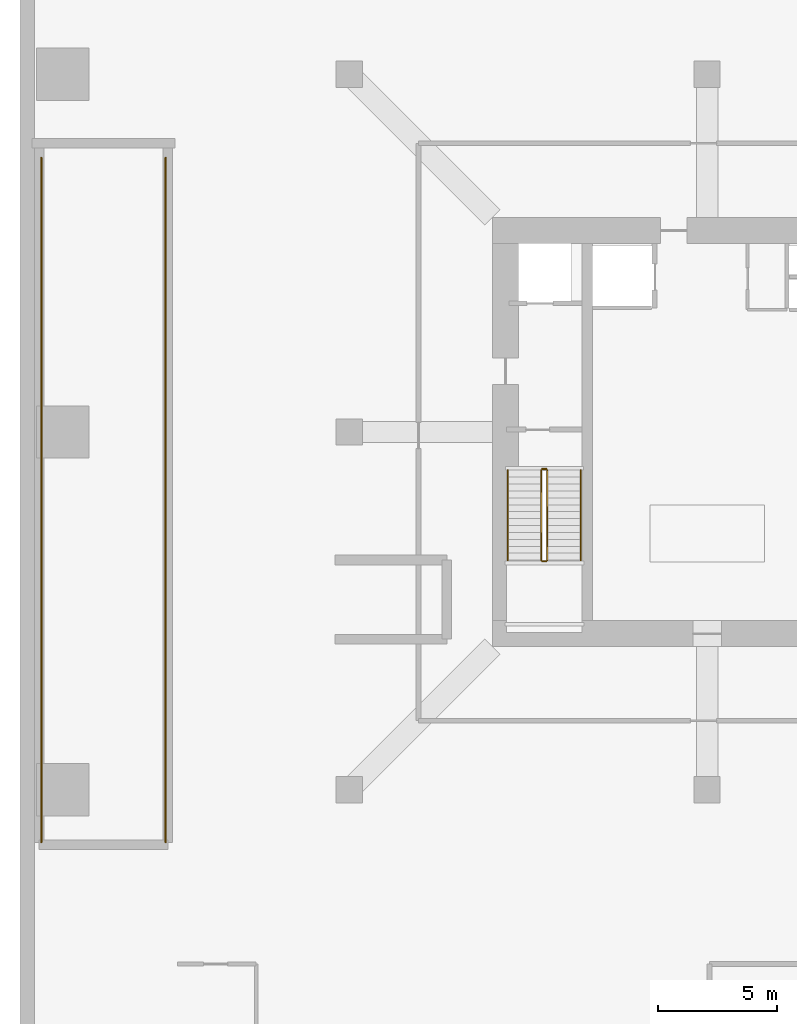
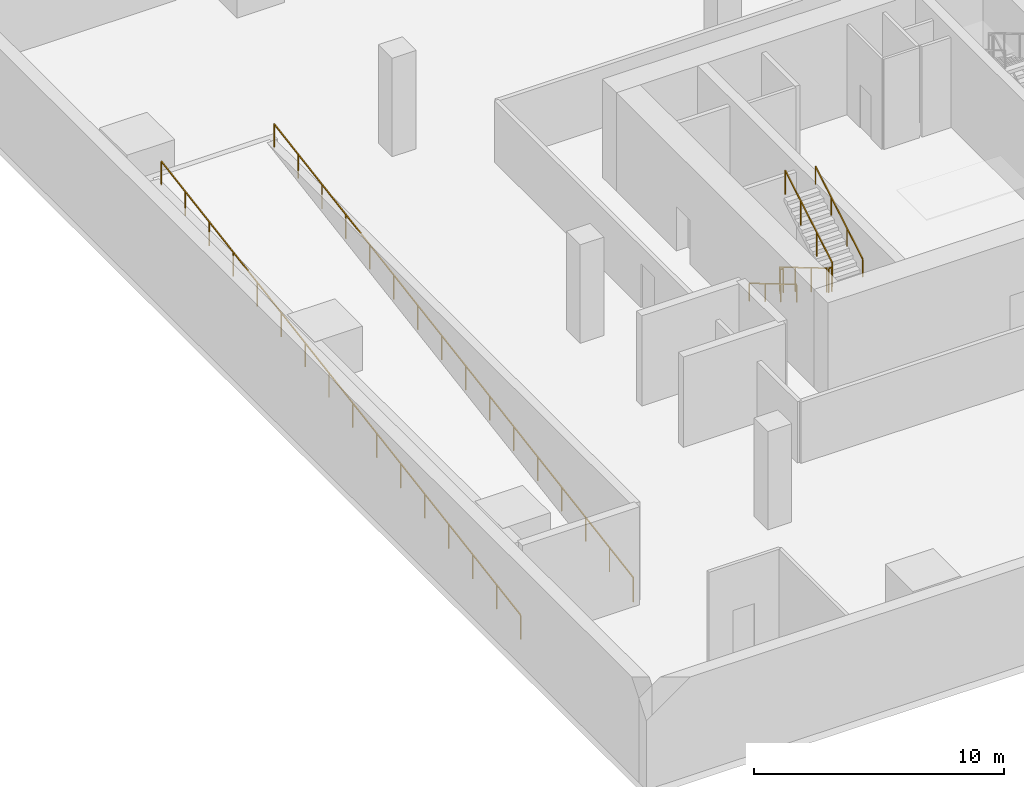
# One storey, part 4 of 6: 8 railings.
"""IFC4 building model written with IfcOpenShell, lengths in metres."""

import ifcopenshell
import ifcopenshell.guid

model = None  # the IFC model being written
_history = None  # IfcOwnerHistory: only IFC2X3 demands one
_inside = {}  # id of a spatial element -> (the spatial element, [elements in it])
_under = {}  # id of a project, library or spatial element -> (it, [spatial elements below it])
_declared = {}  # id of a project -> (the project, [libraries it declares])
_typed = {}  # id of a type object -> (the type object, [elements of that type])
_made_of = {}  # id of a material, layer set ... -> (it, [elements and type objects made of it])


def new_model(schema):
    """Start an empty IFC model of exactly this schema.

    Asked for "IFC4X3", IfcOpenShell would pick the latest addendum, in which some entities
    have other attributes; the version numbers below select the first issue.
    IFC2X3 requires an IfcOwnerHistory on every rooted entity: one is made here for all.
    """
    global model, _history
    if schema == "IFC4X3":
        model = ifcopenshell.file(schema_version=(4, 3, 0, 0))
    else:
        model = ifcopenshell.file(schema=schema)
    _inside.clear()
    _under.clear()
    _declared.clear()
    _typed.clear()
    _made_of.clear()
    _history = None
    if model.schema == "IFC2X3":
        org = make("IfcOrganization", Name="unknown")
        user = make(
            "IfcPersonAndOrganization",
            ThePerson=make("IfcPerson", FamilyName="unknown"),
            TheOrganization=org,
        )
        app = make(
            "IfcApplication",
            ApplicationDeveloper=org,
            Version="unknown",
            ApplicationFullName="unknown",
            ApplicationIdentifier="unknown",
        )
        _history = make(
            "IfcOwnerHistory",
            OwningUser=user,
            OwningApplication=app,
            ChangeAction="ADDED",
            CreationDate=0,
        )
    return model


def make(cls, **values):
    """One entity of the class cls with the attributes given. An attribute that is None is left unset."""
    return model.create_entity(
        cls, **{name: value for name, value in values.items() if value is not None}
    )


def rooted(cls, **values):
    """An entity with a GlobalId (a new one), such as an element, a storey or a relation."""
    return make(cls, GlobalId=ifcopenshell.guid.new(), OwnerHistory=_history, **values)


def si_unit(unit_type, name, prefix=None):
    """IfcSIUnit, for example si_unit("LENGTHUNIT", "METRE", prefix="MILLI")."""
    return make("IfcSIUnit", UnitType=unit_type, Prefix=prefix, Name=name)


def assignment(units):
    """IfcUnitAssignment: the units of a project."""
    return None if units is None else make("IfcUnitAssignment", Units=units)


def point(xyz):
    """IfcCartesianPoint."""
    return None if xyz is None else make("IfcCartesianPoint", Coordinates=xyz)


def direction(xyz):
    """IfcDirection."""
    return None if xyz is None else make("IfcDirection", DirectionRatios=xyz)


def frame(location, z_axis=None, x_axis=None):
    """IfcAxis2Placement3D, a coordinate frame: its origin and axes. An axis left out is left unset."""
    return make(
        "IfcAxis2Placement3D",
        Location=point(location),
        Axis=direction(z_axis),
        RefDirection=direction(x_axis),
    )


def frame_2d(location, x_axis=None):
    """IfcAxis2Placement2D, a coordinate frame in the plane: its origin and x axis."""
    return make(
        "IfcAxis2Placement2D", Location=point(location), RefDirection=direction(x_axis)
    )


def origin():
    """The frame at (0, 0, 0) with its axes left unset."""
    return frame((0.0, 0.0, 0.0))


def origin_2d():
    """The frame at (0, 0) in the plane with its x axis left unset."""
    return frame_2d((0.0, 0.0))


def place(relative_to, where):
    """IfcLocalPlacement: puts the frame where relative to a parent placement (None: the world)."""
    return make(
        "IfcLocalPlacement", PlacementRelTo=relative_to, RelativePlacement=where
    )


def context(
    kind, dimensions, precision=None, world=None, true_north=None, identifier=None
):
    """IfcGeometricRepresentationContext, for example the 3D "Model" context."""
    return make(
        "IfcGeometricRepresentationContext",
        ContextIdentifier=identifier,
        ContextType=kind,
        CoordinateSpaceDimension=dimensions,
        Precision=precision,
        WorldCoordinateSystem=world,
        TrueNorth=true_north,
    )


def subcontext(parent, identifier, kind, view, scale=None):
    """IfcGeometricRepresentationSubContext, for example "Body" below "Model"."""
    return make(
        "IfcGeometricRepresentationSubContext",
        ContextIdentifier=identifier,
        ContextType=kind,
        ParentContext=parent,
        TargetScale=scale,
        TargetView=view,
    )


def project(units=None, contexts=None):
    """IfcProject with its units and contexts."""
    return rooted(
        "IfcProject",
        Name="project",
        RepresentationContexts=contexts,
        UnitsInContext=assignment(units),
    )


def spatial(cls, under=None, at=None, **own):
    """A site, building, storey or space (cls), placed at a placement, below another one or the project."""
    s = rooted(cls, ObjectPlacement=at, **own)
    if under is not None:
        _under.setdefault(under.id(), (under, []))[1].append(s)
    return s


def profile(cls, at=None, kind="AREA", **sizes):
    """A parametric profile (cls). Its sizes go by their IFC names, for example OverallWidth=200.0."""
    return make(cls, ProfileType=kind, Position=at, **sizes)


def rectangle(**sizes):
    """IfcRectangleProfileDef."""
    return profile("IfcRectangleProfileDef", **sizes)


def extrude(swept, where, along, depth):
    """IfcExtrudedAreaSolid: the profile swept, set in the frame where, extruded along a direction by depth."""
    return make(
        "IfcExtrudedAreaSolid",
        SweptArea=swept,
        Position=where,
        ExtrudedDirection=direction(along),
        Depth=depth,
    )


def shape(context_of_items, identifier, shape_type, items):
    """IfcShapeRepresentation: the items that make up one representation, for example the "Body"."""
    return make(
        "IfcShapeRepresentation",
        ContextOfItems=context_of_items,
        RepresentationIdentifier=identifier,
        RepresentationType=shape_type,
        Items=items,
    )


def material(Name=None, Category=None):
    """IfcMaterial."""
    return make("IfcMaterial", Name=Name, Category=Category)


def made_of(thing, what):
    """Note that an element or type object is made of a material, layer set ...; save() writes the relation."""
    if what is not None:
        _made_of.setdefault(what.id(), (what, []))[1].append(thing)
    return thing


def type_object(cls, material=None, **own):
    """A type object (cls), such as IfcWallType, which elements share."""
    return made_of(rooted(cls, **own), material)


def element(
    cls,
    number,
    at=None,
    inside=None,
    cuts=None,
    type_object=None,
    material=None,
    context=None,
    identifier="Body",
    shape_type=None,
    held_by="IfcProductDefinitionShape",
    body=None,
    shapes=None,
    **own,
):
    """One element of the class cls, such as IfcWall. Its Tag is "e" and its number.

    at: its placement. inside: the storey or other place that contains it. cuts: it is an
    opening in that element (IfcRelVoidsElement). A single representation is given by context,
    identifier, shape_type and body (its items); several are given by shapes. held_by: the class
    of the entity that holds the representations. save() writes the other relations.
    """
    e = rooted(cls, Tag="e%d" % number, ObjectPlacement=at, **own)
    if body is not None:
        shapes = [shape(context, identifier, shape_type, body)]
    if shapes is not None:
        e.Representation = make(held_by, Representations=shapes)
    if inside is not None:
        _inside.setdefault(inside.id(), (inside, []))[1].append(e)
    if cuts is not None:
        rooted(
            "IfcRelVoidsElement", RelatingBuildingElement=cuts, RelatedOpeningElement=e
        )
    if type_object is not None:
        _typed.setdefault(type_object.id(), (type_object, []))[1].append(e)
    return made_of(e, material)


def aggregate(whole, parts):
    """IfcRelAggregates: a whole, such as a stair, and the parts it consists of."""
    return rooted("IfcRelAggregates", RelatingObject=whole, RelatedObjects=parts)


def save(model, path):
    """Write the relations noted so far, then the file.

    IfcRelAggregates (storeys below a building ...), IfcRelContainedInSpatialStructure (elements
    in a storey), IfcRelDefinesByType, IfcRelAssociatesMaterial and IfcRelDeclares: one each for
    every whole, place, type object, material and project.
    """
    for whole, parts in _under.values():
        aggregate(whole, parts)
    for where, things in _inside.values():
        rooted(
            "IfcRelContainedInSpatialStructure",
            RelatedElements=things,
            RelatingStructure=where,
        )
    for kind, things in _typed.values():
        rooted("IfcRelDefinesByType", RelatedObjects=things, RelatingType=kind)
    for what, things in _made_of.values():
        rooted("IfcRelAssociatesMaterial", RelatedObjects=things, RelatingMaterial=what)
    for by, libraries in _declared.values():
        rooted("IfcRelDeclares", RelatingContext=by, RelatedDefinitions=libraries)
    model.write(path)


model = new_model("IFC4")

# Units and contexts
model_context = context("Model", 3, precision=1e-05, world=origin(), true_north=direction((0.0, 1.0)))
body_context = subcontext(model_context, "Body", "Model", "MODEL_VIEW")
ifc_project = project(units=[si_unit("LENGTHUNIT", "METRE"), si_unit("AREAUNIT", "SQUARE_METRE"), si_unit("VOLUMEUNIT", "CUBIC_METRE"), si_unit("PLANEANGLEUNIT", "RADIAN"), si_unit("MASSUNIT", "GRAM", prefix="KILO")], contexts=[model_context])

# Site, building, storey
site_placement = place(None, origin())
site = spatial("IfcSite", under=ifc_project, at=site_placement, CompositionType="ELEMENT")
building_placement = place(site_placement, origin())
building = spatial("IfcBuilding", under=site, at=building_placement, Name="Belovzor Exchange Tower", CompositionType="ELEMENT")
storey_placement = place(building_placement, frame((0.0, 0.0, -4.800048828125)))
storey = spatial("IfcBuildingStorey", under=building, at=storey_placement, Name="B01", CompositionType="ELEMENT", Elevation=-4.800048828125)

# Railings
ifc_material_1 = material(Name="Stainless Steel Grade 304", Category="steel")
railing_type_1 = type_object("IfcRailingType", Name="Brushed Stainless Steel Stair Handrail 900", PredefinedType="HANDRAIL", material=ifc_material_1)
railing_1_placement = place(storey_placement, frame((20.449951171875, 27.199951171875, 0.17138671875)))
element("IfcRailing", 1, at=railing_1_placement, inside=storey, type_object=railing_type_1, Name="B01 ST-1 stair handrail 1", PredefinedType="HANDRAIL", context=body_context, shape_type="SweptSolid", body=[
    extrude(rectangle(XDim=0.048095703125, YDim=0.048095703125, at=origin_2d()), frame((0.0, 0.0, 0.8759765625), z_axis=(0.0, -0.860824410104, 0.508902087802), x_axis=(1.0, 0.0, 0.0)), (0.0, 0.0, 1.0), 4.379638671875),
    extrude(rectangle(XDim=0.0419921875, YDim=0.0419921875, at=origin_2d()), origin(), (0.0, 0.0, 1.0), 0.851806640625),
    extrude(rectangle(XDim=0.0419921875, YDim=0.0419921875, at=origin_2d()), frame((0.0, -1.256591796875, 0.742919921875)), (0.0, 0.0, 1.0), 0.851806640625),
    extrude(rectangle(XDim=0.0419921875, YDim=0.0419921875, at=origin_2d()), frame((0.0, -2.513427734375, 1.48583984375)), (0.0, 0.0, 1.0), 0.851806640625),
    extrude(rectangle(XDim=0.0419921875, YDim=0.0419921875, at=origin_2d()), frame((0.0, -3.77001953125, 2.228759765625)), (0.0, 0.0, 1.0), 0.851806640625),
])
railing_2_placement = place(storey_placement, frame((23.5, 23.429931640625, 2.571533203125)))
element("IfcRailing", 2, at=railing_2_placement, inside=storey, type_object=railing_type_1, Name="B01 ST-1 stair handrail 2", PredefinedType="HANDRAIL", context=body_context, shape_type="SweptSolid", body=[
    extrude(rectangle(XDim=0.048095703125, YDim=0.048095703125, at=origin_2d()), frame((0.0, 0.0, 0.8759765625), z_axis=(0.0, 0.860848830602, 0.508860777473), x_axis=(-1.0, 0.0, 0.0)), (0.0, 0.0, 1.0), 4.37939453125),
    extrude(rectangle(XDim=0.0419921875, YDim=0.0419921875, at=origin_2d()), origin(), (0.0, 0.0, 1.0), 0.851806640625),
    extrude(rectangle(XDim=0.0419921875, YDim=0.0419921875, at=origin_2d()), frame((0.0, 1.256591796875, 0.742919921875)), (0.0, 0.0, 1.0), 0.851806640625),
    extrude(rectangle(XDim=0.0419921875, YDim=0.0419921875, at=origin_2d()), frame((0.0, 2.513427734375, 1.485595703125)), (0.0, 0.0, 1.0), 0.851806640625),
    extrude(rectangle(XDim=0.0419921875, YDim=0.0419921875, at=origin_2d()), frame((0.0, 3.77001953125, 2.228515625)), (0.0, 0.0, 1.0), 0.851806640625),
])
ifc_material_2 = material(Name="Steel S355", Category="steel")
railing_type_2 = type_object("IfcRailingType", Name="Internal Vehicle Ramp Safety Guardrail 1200", PredefinedType="GUARDRAIL", material=ifc_material_2)
railing_3_placement = place(storey_placement, frame((0.89990234375, 11.60009765625, 0.0)))
element("IfcRailing", 3, at=railing_3_placement, inside=storey, type_object=railing_type_2, Name="GR-3 Vehicle Ramp Safety Guardrail B01 W", PredefinedType="GUARDRAIL", context=body_context, shape_type="SweptSolid", body=[
    extrude(rectangle(XDim=0.048095703125, YDim=0.048095703125, at=origin_2d()), frame((0.0, 0.0, 1.17578125), z_axis=(0.0, 0.986744871408, 0.162279261613), x_axis=(-1.0, 0.0, 0.0)), (0.0, 0.0, 1.0), 29.08544921875),
    extrude(rectangle(XDim=0.0419921875, YDim=0.0419921875, at=origin_2d()), origin(), (0.0, 0.0, 1.0), 1.15185546875),
    extrude(rectangle(XDim=0.0419921875, YDim=0.0419921875, at=origin_2d()), frame((0.0, 1.913330078125, 0.314697265625)), (0.0, 0.0, 1.0), 1.15185546875),
    extrude(rectangle(XDim=0.0419921875, YDim=0.0419921875, at=origin_2d()), frame((0.0, 3.82666015625, 0.62939453125)), (0.0, 0.0, 1.0), 1.15185546875),
    extrude(rectangle(XDim=0.0419921875, YDim=0.0419921875, at=origin_2d()), frame((0.0, 5.739990234375, 0.944091796875)), (0.0, 0.0, 1.0), 1.15185546875),
    extrude(rectangle(XDim=0.0419921875, YDim=0.0419921875, at=origin_2d()), frame((0.0, 7.6533203125, 1.258544921875)), (0.0, 0.0, 1.0), 1.15185546875),
    extrude(rectangle(XDim=0.0419921875, YDim=0.0419921875, at=origin_2d()), frame((0.0, 9.566650390625, 1.5732421875)), (0.0, 0.0, 1.0), 1.15185546875),
    extrude(rectangle(XDim=0.0419921875, YDim=0.0419921875, at=origin_2d()), frame((0.0, 11.47998046875, 1.887939453125)), (0.0, 0.0, 1.0), 1.15185546875),
    extrude(rectangle(XDim=0.0419921875, YDim=0.0419921875, at=origin_2d()), frame((0.0, 13.393310546875, 2.20263671875)), (0.0, 0.0, 1.0), 1.15185546875),
    extrude(rectangle(XDim=0.0419921875, YDim=0.0419921875, at=origin_2d()), frame((0.0, 15.306640625, 2.517333984375)), (0.0, 0.0, 1.0), 1.15185546875),
    extrude(rectangle(XDim=0.0419921875, YDim=0.0419921875, at=origin_2d()), frame((0.0, 17.219970703125, 2.83203125)), (0.0, 0.0, 1.0), 1.15185546875),
    extrude(rectangle(XDim=0.0419921875, YDim=0.0419921875, at=origin_2d()), frame((0.0, 19.13330078125, 3.146728515625)), (0.0, 0.0, 1.0), 1.15185546875),
    extrude(rectangle(XDim=0.0419921875, YDim=0.0419921875, at=origin_2d()), frame((0.0, 21.046630859375, 3.46142578125)), (0.0, 0.0, 1.0), 1.15185546875),
    extrude(rectangle(XDim=0.0419921875, YDim=0.0419921875, at=origin_2d()), frame((0.0, 22.9599609375, 3.77587890625)), (0.0, 0.0, 1.0), 1.15185546875),
    extrude(rectangle(XDim=0.0419921875, YDim=0.0419921875, at=origin_2d()), frame((0.0, 24.873291015625, 4.090576171875)), (0.0, 0.0, 1.0), 1.15185546875),
    extrude(rectangle(XDim=0.0419921875, YDim=0.0419921875, at=origin_2d()), frame((0.0, 26.78662109375, 4.4052734375)), (0.0, 0.0, 1.0), 1.15185546875),
    extrude(rectangle(XDim=0.0419921875, YDim=0.0419921875, at=origin_2d()), frame((0.0, 28.699951171875, 4.719970703125)), (0.0, 0.0, 1.0), 1.15185546875),
])
railing_4_placement = place(storey_placement, frame((6.10009765625, 11.60009765625, 0.0)))
element("IfcRailing", 4, at=railing_4_placement, inside=storey, type_object=railing_type_2, Name="GR-3 Vehicle Ramp Safety Guardrail B01 E", PredefinedType="GUARDRAIL", context=body_context, shape_type="SweptSolid", body=[
    extrude(rectangle(XDim=0.048095703125, YDim=0.048095703125, at=origin_2d()), frame((0.0, 0.0, 1.17578125), z_axis=(0.0, 0.986744871408, 0.162279261613), x_axis=(-1.0, 0.0, 0.0)), (0.0, 0.0, 1.0), 29.08544921875),
    extrude(rectangle(XDim=0.0419921875, YDim=0.0419921875, at=origin_2d()), origin(), (0.0, 0.0, 1.0), 1.15185546875),
    extrude(rectangle(XDim=0.0419921875, YDim=0.0419921875, at=origin_2d()), frame((0.0, 1.913330078125, 0.314697265625)), (0.0, 0.0, 1.0), 1.15185546875),
    extrude(rectangle(XDim=0.0419921875, YDim=0.0419921875, at=origin_2d()), frame((0.0, 3.82666015625, 0.62939453125)), (0.0, 0.0, 1.0), 1.15185546875),
    extrude(rectangle(XDim=0.0419921875, YDim=0.0419921875, at=origin_2d()), frame((0.0, 5.739990234375, 0.944091796875)), (0.0, 0.0, 1.0), 1.15185546875),
    extrude(rectangle(XDim=0.0419921875, YDim=0.0419921875, at=origin_2d()), frame((0.0, 7.6533203125, 1.258544921875)), (0.0, 0.0, 1.0), 1.15185546875),
    extrude(rectangle(XDim=0.0419921875, YDim=0.0419921875, at=origin_2d()), frame((0.0, 9.566650390625, 1.5732421875)), (0.0, 0.0, 1.0), 1.15185546875),
    extrude(rectangle(XDim=0.0419921875, YDim=0.0419921875, at=origin_2d()), frame((0.0, 11.47998046875, 1.887939453125)), (0.0, 0.0, 1.0), 1.15185546875),
    extrude(rectangle(XDim=0.0419921875, YDim=0.0419921875, at=origin_2d()), frame((0.0, 13.393310546875, 2.20263671875)), (0.0, 0.0, 1.0), 1.15185546875),
    extrude(rectangle(XDim=0.0419921875, YDim=0.0419921875, at=origin_2d()), frame((0.0, 15.306640625, 2.517333984375)), (0.0, 0.0, 1.0), 1.15185546875),
    extrude(rectangle(XDim=0.0419921875, YDim=0.0419921875, at=origin_2d()), frame((0.0, 17.219970703125, 2.83203125)), (0.0, 0.0, 1.0), 1.15185546875),
    extrude(rectangle(XDim=0.0419921875, YDim=0.0419921875, at=origin_2d()), frame((0.0, 19.13330078125, 3.146728515625)), (0.0, 0.0, 1.0), 1.15185546875),
    extrude(rectangle(XDim=0.0419921875, YDim=0.0419921875, at=origin_2d()), frame((0.0, 21.046630859375, 3.46142578125)), (0.0, 0.0, 1.0), 1.15185546875),
    extrude(rectangle(XDim=0.0419921875, YDim=0.0419921875, at=origin_2d()), frame((0.0, 22.9599609375, 3.77587890625)), (0.0, 0.0, 1.0), 1.15185546875),
    extrude(rectangle(XDim=0.0419921875, YDim=0.0419921875, at=origin_2d()), frame((0.0, 24.873291015625, 4.090576171875)), (0.0, 0.0, 1.0), 1.15185546875),
    extrude(rectangle(XDim=0.0419921875, YDim=0.0419921875, at=origin_2d()), frame((0.0, 26.78662109375, 4.4052734375)), (0.0, 0.0, 1.0), 1.15185546875),
    extrude(rectangle(XDim=0.0419921875, YDim=0.0419921875, at=origin_2d()), frame((0.0, 28.699951171875, 4.719970703125)), (0.0, 0.0, 1.0), 1.15185546875),
])
ifc_material_3 = material(Name="Steel S355", Category="steel")
railing_type_3 = type_object("IfcRailingType", Name="Painted Steel Stairwell Guardrail 1200", PredefinedType="GUARDRAIL", material=ifc_material_3)
railing_5_placement = place(storey_placement, frame((21.85009765625, 27.199951171875, 0.17138671875)))
element("IfcRailing", 5, at=railing_5_placement, inside=storey, type_object=railing_type_3, Name="B01 ST-1 stair guard 1", PredefinedType="GUARDRAIL", context=body_context, shape_type="SweptSolid", body=[
    extrude(rectangle(XDim=0.048095703125, YDim=0.048095703125, at=origin_2d()), frame((0.0, 0.0, 1.17578125), z_axis=(0.0, -0.860824410104, 0.508902087802), x_axis=(1.0, 0.0, 0.0)), (0.0, 0.0, 1.0), 4.379638671875),
    extrude(rectangle(XDim=0.0419921875, YDim=0.0419921875, at=origin_2d()), origin(), (0.0, 0.0, 1.0), 1.15185546875),
    extrude(rectangle(XDim=0.0419921875, YDim=0.0419921875, at=origin_2d()), frame((0.0, -1.256591796875, 0.742919921875)), (0.0, 0.0, 1.0), 1.15185546875),
    extrude(rectangle(XDim=0.0419921875, YDim=0.0419921875, at=origin_2d()), frame((0.0, -2.513427734375, 1.48583984375)), (0.0, 0.0, 1.0), 1.15185546875),
    extrude(rectangle(XDim=0.0419921875, YDim=0.0419921875, at=origin_2d()), frame((0.0, -3.77001953125, 2.228759765625)), (0.0, 0.0, 1.0), 1.15185546875),
])
railing_6_placement = place(storey_placement, frame((21.89990234375, 23.3798828125, 2.400146484375)))
element("IfcRailing", 6, at=railing_6_placement, inside=storey, type_object=railing_type_3, Name="B01 ST-1 stair guard 2", PredefinedType="GUARDRAIL", context=body_context, shape_type="SweptSolid", body=[
    extrude(rectangle(XDim=0.048095703125, YDim=0.048095703125, at=origin_2d()), frame((0.0, 0.0, 1.17578125), z_axis=(1.0, 0.0, 0.0), x_axis=(0.0, 1.0, 0.0)), (0.0, 0.0, 1.0), 0.150146484375),
    extrude(rectangle(XDim=0.0419921875, YDim=0.0419921875, at=origin_2d()), origin(), (0.0, 0.0, 1.0), 1.15185546875),
    extrude(rectangle(XDim=0.0419921875, YDim=0.0419921875, at=origin_2d()), frame((0.150146484375, 0.0, 0.0)), (0.0, 0.0, 1.0), 1.15185546875),
])
railing_7_placement = place(storey_placement, frame((22.10009765625, 23.429931640625, 2.571533203125)))
element("IfcRailing", 7, at=railing_7_placement, inside=storey, type_object=railing_type_3, Name="B01 ST-1 stair guard 3", PredefinedType="GUARDRAIL", context=body_context, shape_type="SweptSolid", body=[
    extrude(rectangle(XDim=0.048095703125, YDim=0.048095703125, at=origin_2d()), frame((0.0, 0.0, 1.17578125), z_axis=(0.0, 0.860848830602, 0.508860777473), x_axis=(-1.0, 0.0, 0.0)), (0.0, 0.0, 1.0), 4.37939453125),
    extrude(rectangle(XDim=0.0419921875, YDim=0.0419921875, at=origin_2d()), origin(), (0.0, 0.0, 1.0), 1.15185546875),
    extrude(rectangle(XDim=0.0419921875, YDim=0.0419921875, at=origin_2d()), frame((0.0, 1.256591796875, 0.742919921875)), (0.0, 0.0, 1.0), 1.15185546875),
    extrude(rectangle(XDim=0.0419921875, YDim=0.0419921875, at=origin_2d()), frame((0.0, 2.513427734375, 1.485595703125)), (0.0, 0.0, 1.0), 1.15185546875),
    extrude(rectangle(XDim=0.0419921875, YDim=0.0419921875, at=origin_2d()), frame((0.0, 3.77001953125, 2.228515625)), (0.0, 0.0, 1.0), 1.15185546875),
])
railing_8_placement = place(storey_placement, frame((21.89990234375, 27.25, 0.0)))
element("IfcRailing", 8, at=railing_8_placement, inside=storey, type_object=railing_type_3, Name="B01 ST-1 stair guard 4", PredefinedType="GUARDRAIL", context=body_context, shape_type="SweptSolid", body=[
    extrude(rectangle(XDim=0.048095703125, YDim=0.048095703125, at=origin_2d()), frame((0.0, 0.0, 1.17578125), z_axis=(1.0, 0.0, 0.0), x_axis=(0.0, 1.0, 0.0)), (0.0, 0.0, 1.0), 0.150146484375),
    extrude(rectangle(XDim=0.0419921875, YDim=0.0419921875, at=origin_2d()), origin(), (0.0, 0.0, 1.0), 1.15185546875),
    extrude(rectangle(XDim=0.0419921875, YDim=0.0419921875, at=origin_2d()), frame((0.150146484375, 0.0, 0.0)), (0.0, 0.0, 1.0), 1.15185546875),
])

save(model, "model.ifc")
